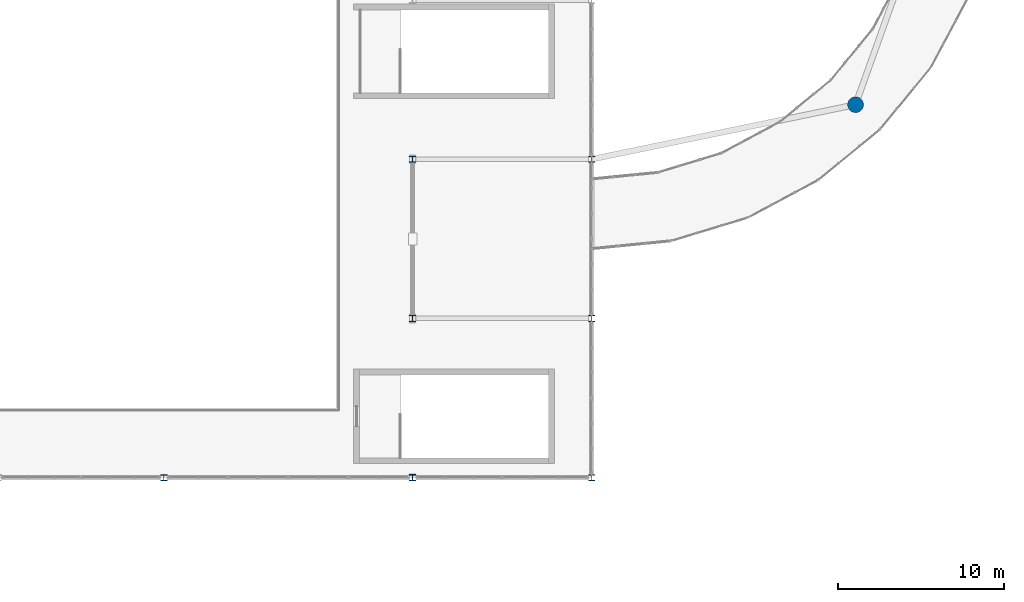
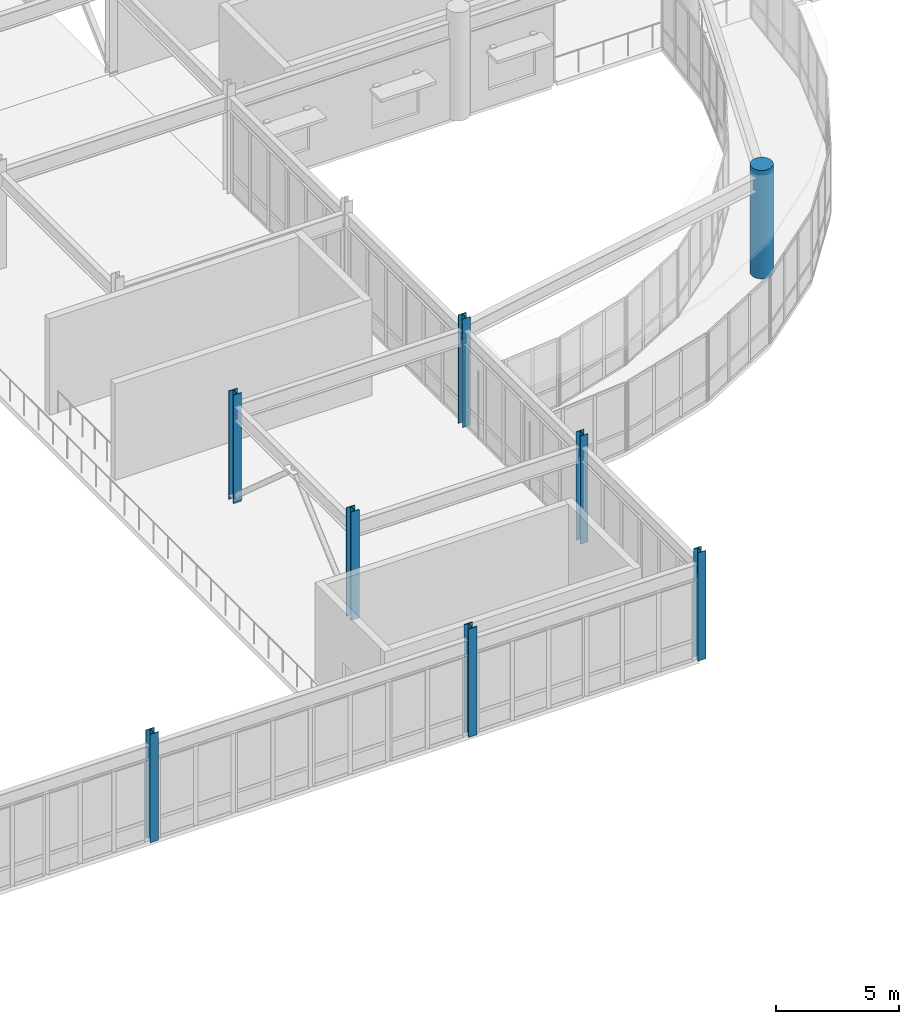
# One storey, part 3 of 68: 8 columns.
"""IFC4 building model written with IfcOpenShell, lengths in metres."""

from ifc_helpers import new_model, si_unit, direction, frame, origin, origin_2d, place, context, subcontext, project, spatial, circle, i_section, extrude, material, material_profile, profile_set, type_object, element, save


model = new_model("IFC4")

# Units and contexts
model_context = context("Model", 3, precision=1e-05, world=origin(), true_north=direction((0.0, 1.0)))
body_context = subcontext(model_context, "Body", "Model", "MODEL_VIEW")
ifc_project = project(units=[si_unit("LENGTHUNIT", "METRE"), si_unit("AREAUNIT", "SQUARE_METRE"), si_unit("VOLUMEUNIT", "CUBIC_METRE"), si_unit("PLANEANGLEUNIT", "RADIAN"), si_unit("MASSUNIT", "GRAM", prefix="KILO")], contexts=[model_context])

# Site, building, storey
site_placement = place(None, origin())
site = spatial("IfcSite", under=ifc_project, at=site_placement, CompositionType="ELEMENT")
building_placement = place(site_placement, origin())
building = spatial("IfcBuilding", under=site, at=building_placement, Name="Veldera Park Congress Hotel", CompositionType="ELEMENT")
storey_placement = place(building_placement, frame((0.0, 0.0, 10.800048828125)))
storey = spatial("IfcBuildingStorey", under=building, at=storey_placement, Name="L02", CompositionType="ELEMENT", Elevation=10.800048828125)

# Columns
ifc_material_1 = material(Name="Concrete f'c 50 MPa (7,250 psi)", Category="concrete")
ifc_material_profile_1 = material_profile(ifc_material_1, circle(Radius=0.47509765625, at=origin_2d()), Name="RC D950")
ifc_profile_set_1 = profile_set([ifc_material_profile_1], Name="Concrete f'c 50 MPa (7,250 psi)")
column_type_1 = type_object("IfcColumnType", Name="COL-RCD90E", PredefinedType="COLUMN", material=ifc_profile_set_1)
column_1_placement = place(storey_placement, frame((14.309814453125, 1.489990234375, 0.0), z_axis=(0.0, 0.0, 1.0), x_axis=(1.0, 0.0, 0.0)))
element("IfcColumn", 1, at=column_1_placement, inside=storey, type_object=column_type_1, Name="L02 Column COL-RCD90E (14.3,1.5)", PredefinedType="COLUMN", context=body_context, shape_type="SweptSolid", body=[
    extrude(circle(Radius=0.47509765625, at=origin_2d()), origin(), (0.0, 0.0, 1.0), 5.39990234375),
])
ifc_material_2 = material(Name="Steel ASTM A992 Gr.50", Category="steel")
ifc_material_profile_2 = material_profile(ifc_material_2, i_section(OverallWidth=0.373046875, OverallDepth=0.367919921875, WebThickness=0.014892578125, FlangeThickness=0.02392578125, at=origin_2d()), Name="W14X120")
ifc_profile_set_2 = profile_set([ifc_material_profile_2], Name="Steel ASTM A992 Gr.50")
column_type_2 = type_object("IfcColumnType", Name="COL-STL120", PredefinedType="COLUMN", material=ifc_profile_set_2)
for number, where, z_axis, x_axis, name in (
    (2, (-1.60009765625, -11.39990234375, 0.0), (0.0, 0.0, 1.0), (1.0, 0.0, 0.0), "L02 Column COL-STL120 (-1.6,-11.4)"),
    (3, (-1.60009765625, -1.800048828125, 0.0), (0.0, 0.0, 1.0), (1.0, 0.0, 0.0), "L02 Column COL-STL120 (-1.6,-1.8)"),
):
    element("IfcColumn", number, at=place(storey_placement, frame(where, z_axis=z_axis, x_axis=x_axis)), inside=storey, type_object=column_type_2, Name=name, PredefinedType="COLUMN", context=body_context, shape_type="SweptSolid", body=[
        extrude(i_section(OverallWidth=0.373046875, OverallDepth=0.367919921875, WebThickness=0.014892578125, FlangeThickness=0.02392578125, at=origin_2d()), origin(), (0.0, 0.0, 1.0), 5.39990234375),
    ])
ifc_material_profile_3 = material_profile(ifc_material_2, i_section(OverallWidth=0.373046875, OverallDepth=0.367919921875, WebThickness=0.014892578125, FlangeThickness=0.02392578125, at=origin_2d()), Name="W14X120")
ifc_profile_set_3 = profile_set([ifc_material_profile_3], Name="Steel ASTM A992 Gr.50")
column_type_3 = type_object("IfcColumnType", Name="COL-STL120E", PredefinedType="COLUMN", material=ifc_profile_set_3)
column_2_placement = place(storey_placement, frame((-1.60009765625, -21.0, 0.0), z_axis=(0.0, 0.0, 1.0), x_axis=(1.0, 0.0, 0.0)))
element("IfcColumn", 4, at=column_2_placement, inside=storey, type_object=column_type_3, Name="L02 Column COL-STL120E (-1.6,-21.0)", PredefinedType="COLUMN", context=body_context, shape_type="SweptSolid", body=[
    extrude(i_section(OverallWidth=0.373046875, OverallDepth=0.367919921875, WebThickness=0.014892578125, FlangeThickness=0.02392578125, at=origin_2d()), origin(), (0.0, 0.0, 1.0), 5.39990234375),
])
ifc_material_profile_4 = material_profile(ifc_material_2, i_section(OverallWidth=0.39404296875, OverallDepth=0.375, WebThickness=0.017333984375, FlangeThickness=0.027587890625, at=origin_2d()), Name="W14X145")
ifc_profile_set_4 = profile_set([ifc_material_profile_4], Name="Steel ASTM A992 Gr.50")
column_type_4 = type_object("IfcColumnType", Name="COL-STL132E", PredefinedType="COLUMN", material=ifc_profile_set_4)
column_3_placement = place(storey_placement, frame((-27.39990234375, -21.0, 0.0), z_axis=(0.0, 0.0, 1.0), x_axis=(1.0, 0.0, 0.0)))
element("IfcColumn", 5, at=column_3_placement, inside=storey, type_object=column_type_4, Name="L02 Column COL-STL132E (-27.4,-21.0)", PredefinedType="COLUMN", context=body_context, shape_type="SweptSolid", body=[
    extrude(i_section(OverallWidth=0.39404296875, OverallDepth=0.375, WebThickness=0.017333984375, FlangeThickness=0.027587890625, at=origin_2d()), origin(), (0.0, 0.0, 1.0), 5.39990234375),
])
ifc_material_profile_5 = material_profile(ifc_material_2, i_section(OverallWidth=0.39697265625, OverallDepth=0.386962890625, WebThickness=0.02099609375, FlangeThickness=0.033203125, at=origin_2d()), Name="W14X176")
ifc_profile_set_5 = profile_set([ifc_material_profile_5], Name="Steel ASTM A992 Gr.50")
column_type_5 = type_object("IfcColumnType", Name="COL-STL176", PredefinedType="COLUMN", material=ifc_profile_set_5)
for number, where, z_axis, x_axis, name in (
    (6, (-12.39990234375, -11.39990234375, 0.0), (0.0, 0.0, 1.0), (1.0, 0.0, 0.0), "L02 Column COL-STL176 (-12.4,-11.4)"),
    (7, (-12.39990234375, -1.800048828125, 0.0), (0.0, 0.0, 1.0), (1.0, 0.0, 0.0), "L02 Column COL-STL176 (-12.4,-1.8)"),
):
    element("IfcColumn", number, at=place(storey_placement, frame(where, z_axis=z_axis, x_axis=x_axis)), inside=storey, type_object=column_type_5, Name=name, PredefinedType="COLUMN", context=body_context, shape_type="SweptSolid", body=[
        extrude(i_section(OverallWidth=0.39697265625, OverallDepth=0.386962890625, WebThickness=0.02099609375, FlangeThickness=0.033203125, at=origin_2d()), origin(), (0.0, 0.0, 1.0), 5.39990234375),
    ])
ifc_material_profile_6 = material_profile(ifc_material_2, i_section(OverallWidth=0.39892578125, OverallDepth=0.39306640625, WebThickness=0.022705078125, FlangeThickness=0.03662109375, at=origin_2d()), Name="W14X193")
ifc_profile_set_6 = profile_set([ifc_material_profile_6], Name="Steel ASTM A992 Gr.50")
column_type_6 = type_object("IfcColumnType", Name="COL-STL176E", PredefinedType="COLUMN", material=ifc_profile_set_6)
column_4_placement = place(storey_placement, frame((-12.39990234375, -21.0, 0.0), z_axis=(0.0, 0.0, 1.0), x_axis=(1.0, 0.0, 0.0)))
element("IfcColumn", 8, at=column_4_placement, inside=storey, type_object=column_type_6, Name="L02 Column COL-STL176E (-12.4,-21.0)", PredefinedType="COLUMN", context=body_context, shape_type="SweptSolid", body=[
    extrude(i_section(OverallWidth=0.39892578125, OverallDepth=0.39306640625, WebThickness=0.022705078125, FlangeThickness=0.03662109375, at=origin_2d()), origin(), (0.0, 0.0, 1.0), 5.39990234375),
])

save(model, "model.ifc")
